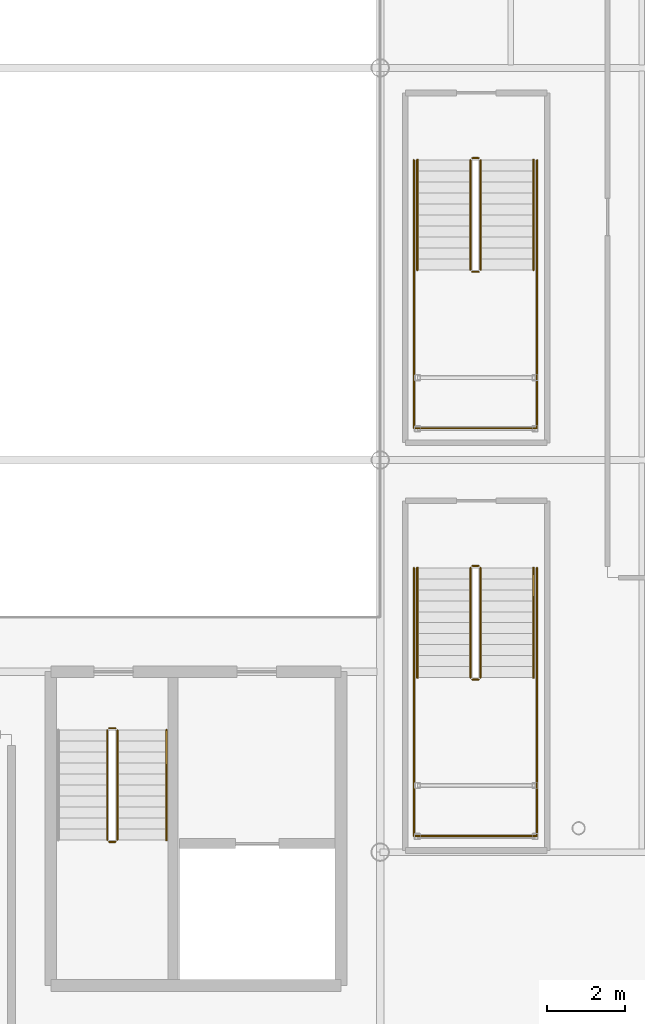
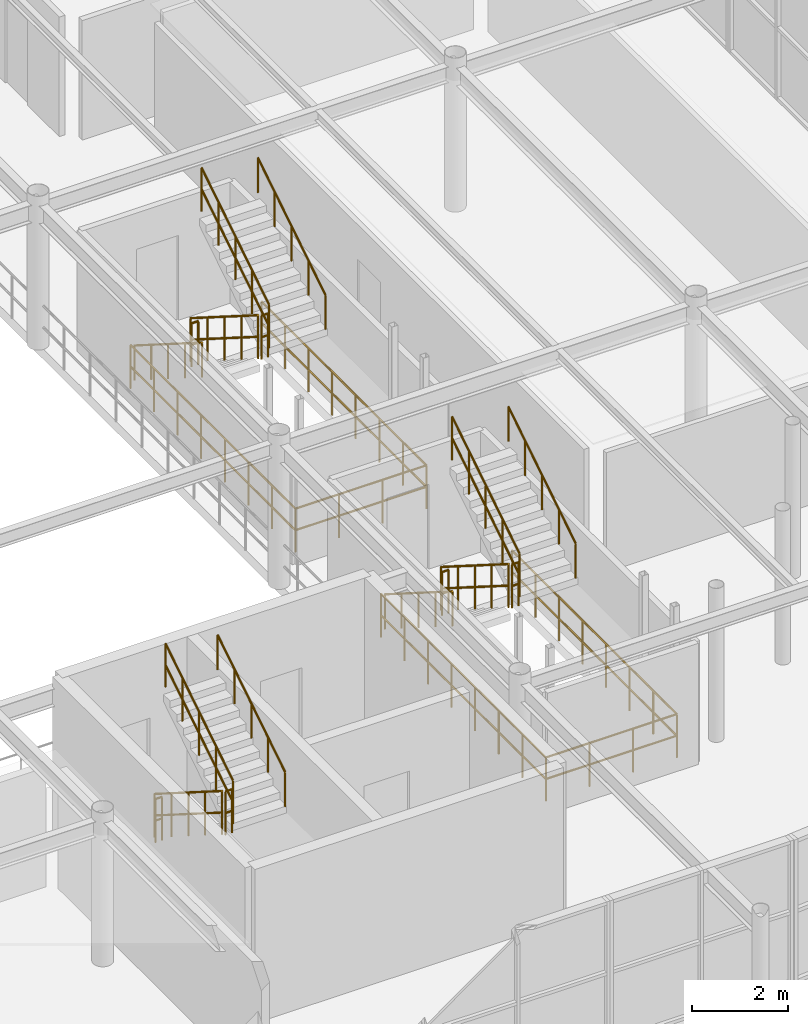
# One storey, part 96 of 98: 23 railings.
"""IFC4 building model written with IfcOpenShell, lengths in metres."""

from ifc_helpers import new_model, si_unit, derived_unit, direction, frame, origin, origin_2d_with_axis, place, context, subcontext, project, spatial, circle, extrude, material, layer, layer_set, type_object, element, save


model = new_model("IFC4")

# Units and contexts
model_context = context("Model", 3, precision=1e-05, world=origin(), true_north=direction((0.0, 1.0)))
body_context = subcontext(model_context, "Body", "Model", "MODEL_VIEW")
ifc_project = project(units=[si_unit("LENGTHUNIT", "METRE"), si_unit("AREAUNIT", "SQUARE_METRE"), si_unit("VOLUMEUNIT", "CUBIC_METRE"), si_unit("PLANEANGLEUNIT", "RADIAN"), si_unit("MASSUNIT", "GRAM", prefix="KILO"), derived_unit("THERMALTRANSMITTANCEUNIT", [(si_unit("POWERUNIT", "WATT"), 1), (si_unit("LENGTHUNIT", "METRE"), -2), (si_unit("THERMODYNAMICTEMPERATUREUNIT", "KELVIN"), -1)])], contexts=[model_context])

# Site, building, storey
site_placement = place(None, origin())
site = spatial("IfcSite", under=ifc_project, at=site_placement, CompositionType="ELEMENT")
building_placement = place(site_placement, origin())
building = spatial("IfcBuilding", under=site, at=building_placement, Name="Cinnabar Yard Market Hall", CompositionType="ELEMENT")
storey_placement = place(building_placement, frame((0.0, 0.0, 4.5)))
storey = spatial("IfcBuildingStorey", under=building, at=storey_placement, Name="L01", CompositionType="ELEMENT", Elevation=4.5)

# Railings
ifc_material_1 = material(Name="Laminated glass and bronze handrail", Category="glass")
ifc_layer_1 = layer(ifc_material_1, 0.070068359375)
ifc_layer_set_1 = layer_set([ifc_layer_1], Name="Laminated glass and bronze handrail")
railing_type_1 = type_object("IfcRailingType", Name="RL-G01", PredefinedType="BALUSTRADE", material=ifc_layer_set_1)
railing_1_placement = place(storey_placement, frame((148.300048828125, 41.64990234375, 0.17724609375)))
element("IfcRailing", 1, at=railing_1_placement, inside=storey, type_object=railing_type_1, Name="L01 ST-F2 stair guard 1", PredefinedType="BALUSTRADE", context=body_context, shape_type="SweptSolid", body=[
    extrude(circle(Radius=0.02392578125, at=origin_2d_with_axis()), frame((0.0, 0.0, 1.09619140625), z_axis=(0.0, -0.844887892834, 0.53494340686), x_axis=(1.0, 0.0, 0.0)), (0.0, 0.0, 1.0), 3.313720703125),
    extrude(circle(Radius=0.02392578125, at=origin_2d_with_axis()), frame((0.0, 0.0, 0.550048828125), z_axis=(0.0, -0.844887892834, 0.53494340686), x_axis=(1.0, 0.0, 0.0)), (0.0, 0.0, 1.0), 3.313720703125),
    extrude(circle(Radius=0.02099609375, at=origin_2d_with_axis()), origin(), (0.0, 0.0, 1.0), 1.072021484375),
    extrude(circle(Radius=0.02099609375, at=origin_2d_with_axis()), frame((0.0, -0.699951171875, 0.443115234375)), (0.0, 0.0, 1.0), 1.072021484375),
    extrude(circle(Radius=0.02099609375, at=origin_2d_with_axis()), frame((0.0, -1.39990234375, 0.88623046875)), (0.0, 0.0, 1.0), 1.072021484375),
    extrude(circle(Radius=0.02099609375, at=origin_2d_with_axis()), frame((0.0, -2.099853515625, 1.32958984375)), (0.0, 0.0, 1.0), 1.072021484375),
    extrude(circle(Radius=0.02099609375, at=origin_2d_with_axis()), frame((0.0, -2.7998046875, 1.772705078125)), (0.0, 0.0, 1.0), 1.072021484375),
])
railing_2_placement = place(storey_placement, frame((148.35009765625, 38.800048828125, 1.949951171875)))
element("IfcRailing", 2, at=railing_2_placement, inside=storey, type_object=railing_type_1, Name="L01 ST-F2 stair guard 2", PredefinedType="BALUSTRADE", context=body_context, shape_type="SweptSolid", body=[
    extrude(circle(Radius=0.02392578125, at=origin_2d_with_axis()), frame((0.0, 0.0, 1.09619140625), z_axis=(1.0, 0.0, 0.0), x_axis=(0.0, 1.0, 0.0)), (0.0, 0.0, 1.0), 0.159912109375),
    extrude(circle(Radius=0.02392578125, at=origin_2d_with_axis()), frame((0.0, 0.0, 0.550048828125), z_axis=(1.0, 0.0, 0.0), x_axis=(0.0, 1.0, 0.0)), (0.0, 0.0, 1.0), 0.159912109375),
    extrude(circle(Radius=0.02099609375, at=origin_2d_with_axis()), origin(), (0.0, 0.0, 1.0), 1.072021484375),
    extrude(circle(Radius=0.02099609375, at=origin_2d_with_axis()), frame((0.159912109375, 0.0, 0.0)), (0.0, 0.0, 1.0), 1.072021484375),
])
railing_3_placement = place(storey_placement, frame((148.56005859375, 38.85009765625, 2.127197265625)))
element("IfcRailing", 3, at=railing_3_placement, inside=storey, type_object=railing_type_1, Name="L01 ST-F2 stair guard 3", PredefinedType="BALUSTRADE", context=body_context, shape_type="SweptSolid", body=[
    extrude(circle(Radius=0.02392578125, at=origin_2d_with_axis()), frame((0.0, 0.0, 1.09619140625), z_axis=(0.0, 0.844887892834, 0.53494340686), x_axis=(-1.0, 0.0, 0.0)), (0.0, 0.0, 1.0), 3.313720703125),
    extrude(circle(Radius=0.02392578125, at=origin_2d_with_axis()), frame((0.0, 0.0, 0.550048828125), z_axis=(0.0, 0.844887892834, 0.53494340686), x_axis=(-1.0, 0.0, 0.0)), (0.0, 0.0, 1.0), 3.313720703125),
    extrude(circle(Radius=0.02099609375, at=origin_2d_with_axis()), origin(), (0.0, 0.0, 1.0), 1.072021484375),
    extrude(circle(Radius=0.02099609375, at=origin_2d_with_axis()), frame((0.0, 0.699951171875, 0.443115234375)), (0.0, 0.0, 1.0), 1.072021484375),
    extrude(circle(Radius=0.02099609375, at=origin_2d_with_axis()), frame((0.0, 1.39990234375, 0.88623046875)), (0.0, 0.0, 1.0), 1.072021484375),
    extrude(circle(Radius=0.02099609375, at=origin_2d_with_axis()), frame((0.0, 2.099853515625, 1.32958984375)), (0.0, 0.0, 1.0), 1.072021484375),
    extrude(circle(Radius=0.02099609375, at=origin_2d_with_axis()), frame((0.0, 2.7998046875, 1.772705078125)), (0.0, 0.0, 1.0), 1.072021484375),
])
railing_4_placement = place(storey_placement, frame((148.35009765625, 41.699951171875, 0.0)))
element("IfcRailing", 4, at=railing_4_placement, inside=storey, type_object=railing_type_1, Name="L01 ST-F2 stair guard 4", PredefinedType="BALUSTRADE", context=body_context, shape_type="SweptSolid", body=[
    extrude(circle(Radius=0.02392578125, at=origin_2d_with_axis()), frame((0.0, 0.0, 1.09619140625), z_axis=(1.0, 0.0, 0.0), x_axis=(0.0, 1.0, 0.0)), (0.0, 0.0, 1.0), 0.159912109375),
    extrude(circle(Radius=0.02392578125, at=origin_2d_with_axis()), frame((0.0, 0.0, 0.550048828125), z_axis=(1.0, 0.0, 0.0), x_axis=(0.0, 1.0, 0.0)), (0.0, 0.0, 1.0), 0.159912109375),
    extrude(circle(Radius=0.02099609375, at=origin_2d_with_axis()), origin(), (0.0, 0.0, 1.0), 1.072021484375),
    extrude(circle(Radius=0.02099609375, at=origin_2d_with_axis()), frame((0.159912109375, 0.0, 0.0)), (0.0, 0.0, 1.0), 1.072021484375),
])
railing_5_placement = place(storey_placement, frame((148.300048828125, 31.25, 0.17724609375)))
element("IfcRailing", 5, at=railing_5_placement, inside=storey, type_object=railing_type_1, Name="L01 ST-F5 stair guard 1", PredefinedType="BALUSTRADE", context=body_context, shape_type="SweptSolid", body=[
    extrude(circle(Radius=0.02392578125, at=origin_2d_with_axis()), frame((0.0, 0.0, 1.09619140625), z_axis=(0.0, -0.844908973607, 0.534910110503), x_axis=(1.0, 0.0, 0.0)), (0.0, 0.0, 1.0), 3.31396484375),
    extrude(circle(Radius=0.02392578125, at=origin_2d_with_axis()), frame((0.0, 0.0, 0.550048828125), z_axis=(0.0, -0.844908973607, 0.534910110503), x_axis=(1.0, 0.0, 0.0)), (0.0, 0.0, 1.0), 3.31396484375),
    extrude(circle(Radius=0.02099609375, at=origin_2d_with_axis()), origin(), (0.0, 0.0, 1.0), 1.072021484375),
    extrude(circle(Radius=0.02099609375, at=origin_2d_with_axis()), frame((0.0, -0.699951171875, 0.443115234375)), (0.0, 0.0, 1.0), 1.072021484375),
    extrude(circle(Radius=0.02099609375, at=origin_2d_with_axis()), frame((0.0, -1.39990234375, 0.88623046875)), (0.0, 0.0, 1.0), 1.072021484375),
    extrude(circle(Radius=0.02099609375, at=origin_2d_with_axis()), frame((0.0, -2.10009765625, 1.32958984375)), (0.0, 0.0, 1.0), 1.072021484375),
    extrude(circle(Radius=0.02099609375, at=origin_2d_with_axis()), frame((0.0, -2.800048828125, 1.772705078125)), (0.0, 0.0, 1.0), 1.072021484375),
])
railing_6_placement = place(storey_placement, frame((148.35009765625, 28.39990234375, 1.949951171875)))
element("IfcRailing", 6, at=railing_6_placement, inside=storey, type_object=railing_type_1, Name="L01 ST-F5 stair guard 2", PredefinedType="BALUSTRADE", context=body_context, shape_type="SweptSolid", body=[
    extrude(circle(Radius=0.02392578125, at=origin_2d_with_axis()), frame((0.0, 0.0, 1.09619140625), z_axis=(1.0, 0.0, 0.0), x_axis=(0.0, 1.0, 0.0)), (0.0, 0.0, 1.0), 0.159912109375),
    extrude(circle(Radius=0.02392578125, at=origin_2d_with_axis()), frame((0.0, 0.0, 0.550048828125), z_axis=(1.0, 0.0, 0.0), x_axis=(0.0, 1.0, 0.0)), (0.0, 0.0, 1.0), 0.159912109375),
    extrude(circle(Radius=0.02099609375, at=origin_2d_with_axis()), origin(), (0.0, 0.0, 1.0), 1.072021484375),
    extrude(circle(Radius=0.02099609375, at=origin_2d_with_axis()), frame((0.159912109375, 0.0, 0.0)), (0.0, 0.0, 1.0), 1.072021484375),
])
railing_7_placement = place(storey_placement, frame((148.56005859375, 28.449951171875, 2.127197265625)))
element("IfcRailing", 7, at=railing_7_placement, inside=storey, type_object=railing_type_1, Name="L01 ST-F5 stair guard 3", PredefinedType="BALUSTRADE", context=body_context, shape_type="SweptSolid", body=[
    extrude(circle(Radius=0.02392578125, at=origin_2d_with_axis()), frame((0.0, 0.0, 1.09619140625), z_axis=(0.0, 0.844908973607, 0.534910110503), x_axis=(-1.0, 0.0, 0.0)), (0.0, 0.0, 1.0), 3.31396484375),
    extrude(circle(Radius=0.02392578125, at=origin_2d_with_axis()), frame((0.0, 0.0, 0.550048828125), z_axis=(0.0, 0.844908973607, 0.534910110503), x_axis=(-1.0, 0.0, 0.0)), (0.0, 0.0, 1.0), 3.31396484375),
    extrude(circle(Radius=0.02099609375, at=origin_2d_with_axis()), origin(), (0.0, 0.0, 1.0), 1.072021484375),
    extrude(circle(Radius=0.02099609375, at=origin_2d_with_axis()), frame((0.0, 0.699951171875, 0.443115234375)), (0.0, 0.0, 1.0), 1.072021484375),
    extrude(circle(Radius=0.02099609375, at=origin_2d_with_axis()), frame((0.0, 1.39990234375, 0.88623046875)), (0.0, 0.0, 1.0), 1.072021484375),
    extrude(circle(Radius=0.02099609375, at=origin_2d_with_axis()), frame((0.0, 2.10009765625, 1.32958984375)), (0.0, 0.0, 1.0), 1.072021484375),
    extrude(circle(Radius=0.02099609375, at=origin_2d_with_axis()), frame((0.0, 2.800048828125, 1.772705078125)), (0.0, 0.0, 1.0), 1.072021484375),
])
railing_8_placement = place(storey_placement, frame((148.35009765625, 31.300048828125, 0.0)))
element("IfcRailing", 8, at=railing_8_placement, inside=storey, type_object=railing_type_1, Name="L01 ST-F5 stair guard 4", PredefinedType="BALUSTRADE", context=body_context, shape_type="SweptSolid", body=[
    extrude(circle(Radius=0.02392578125, at=origin_2d_with_axis()), frame((0.0, 0.0, 1.09619140625), z_axis=(1.0, 0.0, 0.0), x_axis=(0.0, 1.0, 0.0)), (0.0, 0.0, 1.0), 0.159912109375),
    extrude(circle(Radius=0.02392578125, at=origin_2d_with_axis()), frame((0.0, 0.0, 0.550048828125), z_axis=(1.0, 0.0, 0.0), x_axis=(0.0, 1.0, 0.0)), (0.0, 0.0, 1.0), 0.159912109375),
    extrude(circle(Radius=0.02099609375, at=origin_2d_with_axis()), origin(), (0.0, 0.0, 1.0), 1.072021484375),
    extrude(circle(Radius=0.02099609375, at=origin_2d_with_axis()), frame((0.159912109375, 0.0, 0.0)), (0.0, 0.0, 1.0), 1.072021484375),
])
railing_9_placement = place(storey_placement, frame((146.860107421875, 41.64990234375, 0.0)))
element("IfcRailing", 9, at=railing_9_placement, inside=storey, type_object=railing_type_1, Name="Feature Stair ST-F2 L01 Well Guard 1", PredefinedType="BALUSTRADE", context=body_context, shape_type="SweptSolid", body=[
    extrude(circle(Radius=0.02392578125, at=origin_2d_with_axis()), frame((0.0, 0.0, 1.09619140625), z_axis=(0.0, -1.0, 0.0), x_axis=(1.0, 0.0, 0.0)), (0.0, 0.0, 1.0), 6.83984375),
    extrude(circle(Radius=0.02392578125, at=origin_2d_with_axis()), frame((0.0, 0.0, 0.550048828125), z_axis=(0.0, -1.0, 0.0), x_axis=(1.0, 0.0, 0.0)), (0.0, 0.0, 1.0), 6.83984375),
    extrude(circle(Radius=0.02099609375, at=origin_2d_with_axis()), origin(), (0.0, 0.0, 1.0), 1.072021484375),
    extrude(circle(Radius=0.02099609375, at=origin_2d_with_axis()), frame((0.0, -0.97705078125, 0.0)), (0.0, 0.0, 1.0), 1.072021484375),
    extrude(circle(Radius=0.02099609375, at=origin_2d_with_axis()), frame((0.0, -1.954345703125, 0.0)), (0.0, 0.0, 1.0), 1.072021484375),
    extrude(circle(Radius=0.02099609375, at=origin_2d_with_axis()), frame((0.0, -2.931396484375, 0.0)), (0.0, 0.0, 1.0), 1.072021484375),
    extrude(circle(Radius=0.02099609375, at=origin_2d_with_axis()), frame((0.0, -3.908447265625, 0.0)), (0.0, 0.0, 1.0), 1.072021484375),
    extrude(circle(Radius=0.02099609375, at=origin_2d_with_axis()), frame((0.0, -4.885498046875, 0.0)), (0.0, 0.0, 1.0), 1.072021484375),
    extrude(circle(Radius=0.02099609375, at=origin_2d_with_axis()), frame((0.0, -5.86279296875, 0.0)), (0.0, 0.0, 1.0), 1.072021484375),
    extrude(circle(Radius=0.02099609375, at=origin_2d_with_axis()), frame((0.0, -6.83984375, 0.0)), (0.0, 0.0, 1.0), 1.072021484375),
])
railing_10_placement = place(storey_placement, frame((146.860107421875, 34.81005859375, 0.0)))
element("IfcRailing", 10, at=railing_10_placement, inside=storey, type_object=railing_type_1, Name="Feature Stair ST-F2 L01 Well Guard 2", PredefinedType="BALUSTRADE", context=body_context, shape_type="SweptSolid", body=[
    extrude(circle(Radius=0.02392578125, at=origin_2d_with_axis()), frame((0.0, 0.0, 1.09619140625), z_axis=(1.0, 0.0, 0.0), x_axis=(0.0, 1.0, 0.0)), (0.0, 0.0, 1.0), 3.139892578125),
    extrude(circle(Radius=0.02392578125, at=origin_2d_with_axis()), frame((0.0, 0.0, 0.550048828125), z_axis=(1.0, 0.0, 0.0), x_axis=(0.0, 1.0, 0.0)), (0.0, 0.0, 1.0), 3.139892578125),
    extrude(circle(Radius=0.02099609375, at=origin_2d_with_axis()), origin(), (0.0, 0.0, 1.0), 1.072021484375),
    extrude(circle(Radius=0.02099609375, at=origin_2d_with_axis()), frame((1.046630859375, 0.0, 0.0)), (0.0, 0.0, 1.0), 1.072021484375),
    extrude(circle(Radius=0.02099609375, at=origin_2d_with_axis()), frame((2.09326171875, 0.0, 0.0)), (0.0, 0.0, 1.0), 1.072021484375),
    extrude(circle(Radius=0.02099609375, at=origin_2d_with_axis()), frame((3.139892578125, 0.0, 0.0)), (0.0, 0.0, 1.0), 1.072021484375),
])
railing_11_placement = place(storey_placement, frame((150.0, 34.81005859375, 0.0)))
element("IfcRailing", 11, at=railing_11_placement, inside=storey, type_object=railing_type_1, Name="Feature Stair ST-F2 L01 Well Guard 3", PredefinedType="BALUSTRADE", context=body_context, shape_type="SweptSolid", body=[
    extrude(circle(Radius=0.02392578125, at=origin_2d_with_axis()), frame((0.0, 0.0, 1.09619140625), z_axis=(0.0, 1.0, 0.0), x_axis=(-1.0, 0.0, 0.0)), (0.0, 0.0, 1.0), 6.83984375),
    extrude(circle(Radius=0.02392578125, at=origin_2d_with_axis()), frame((0.0, 0.0, 0.550048828125), z_axis=(0.0, 1.0, 0.0), x_axis=(-1.0, 0.0, 0.0)), (0.0, 0.0, 1.0), 6.83984375),
    extrude(circle(Radius=0.02099609375, at=origin_2d_with_axis()), origin(), (0.0, 0.0, 1.0), 1.072021484375),
    extrude(circle(Radius=0.02099609375, at=origin_2d_with_axis()), frame((0.0, 0.97705078125, 0.0)), (0.0, 0.0, 1.0), 1.072021484375),
    extrude(circle(Radius=0.02099609375, at=origin_2d_with_axis()), frame((0.0, 1.954345703125, 0.0)), (0.0, 0.0, 1.0), 1.072021484375),
    extrude(circle(Radius=0.02099609375, at=origin_2d_with_axis()), frame((0.0, 2.931396484375, 0.0)), (0.0, 0.0, 1.0), 1.072021484375),
    extrude(circle(Radius=0.02099609375, at=origin_2d_with_axis()), frame((0.0, 3.908447265625, 0.0)), (0.0, 0.0, 1.0), 1.072021484375),
    extrude(circle(Radius=0.02099609375, at=origin_2d_with_axis()), frame((0.0, 4.885498046875, 0.0)), (0.0, 0.0, 1.0), 1.072021484375),
    extrude(circle(Radius=0.02099609375, at=origin_2d_with_axis()), frame((0.0, 5.86279296875, 0.0)), (0.0, 0.0, 1.0), 1.072021484375),
    extrude(circle(Radius=0.02099609375, at=origin_2d_with_axis()), frame((0.0, 6.83984375, 0.0)), (0.0, 0.0, 1.0), 1.072021484375),
])
railing_12_placement = place(storey_placement, frame((146.860107421875, 31.25, 0.0)))
element("IfcRailing", 12, at=railing_12_placement, inside=storey, type_object=railing_type_1, Name="Feature Stair ST-F5 L01 Well Guard 1", PredefinedType="BALUSTRADE", context=body_context, shape_type="SweptSolid", body=[
    extrude(circle(Radius=0.02392578125, at=origin_2d_with_axis()), frame((0.0, 0.0, 1.09619140625), z_axis=(0.0, -1.0, 0.0), x_axis=(1.0, 0.0, 0.0)), (0.0, 0.0, 1.0), 6.840087890625),
    extrude(circle(Radius=0.02392578125, at=origin_2d_with_axis()), frame((0.0, 0.0, 0.550048828125), z_axis=(0.0, -1.0, 0.0), x_axis=(1.0, 0.0, 0.0)), (0.0, 0.0, 1.0), 6.840087890625),
    extrude(circle(Radius=0.02099609375, at=origin_2d_with_axis()), origin(), (0.0, 0.0, 1.0), 1.072021484375),
    extrude(circle(Radius=0.02099609375, at=origin_2d_with_axis()), frame((0.0, -0.97705078125, 0.0)), (0.0, 0.0, 1.0), 1.072021484375),
    extrude(circle(Radius=0.02099609375, at=origin_2d_with_axis()), frame((0.0, -1.954345703125, 0.0)), (0.0, 0.0, 1.0), 1.072021484375),
    extrude(circle(Radius=0.02099609375, at=origin_2d_with_axis()), frame((0.0, -2.931396484375, 0.0)), (0.0, 0.0, 1.0), 1.072021484375),
    extrude(circle(Radius=0.02099609375, at=origin_2d_with_axis()), frame((0.0, -3.90869140625, 0.0)), (0.0, 0.0, 1.0), 1.072021484375),
    extrude(circle(Radius=0.02099609375, at=origin_2d_with_axis()), frame((0.0, -4.8857421875, 0.0)), (0.0, 0.0, 1.0), 1.072021484375),
    extrude(circle(Radius=0.02099609375, at=origin_2d_with_axis()), frame((0.0, -5.863037109375, 0.0)), (0.0, 0.0, 1.0), 1.072021484375),
    extrude(circle(Radius=0.02099609375, at=origin_2d_with_axis()), frame((0.0, -6.840087890625, 0.0)), (0.0, 0.0, 1.0), 1.072021484375),
])
railing_13_placement = place(storey_placement, frame((146.860107421875, 24.409912109375, 0.0)))
element("IfcRailing", 13, at=railing_13_placement, inside=storey, type_object=railing_type_1, Name="Feature Stair ST-F5 L01 Well Guard 2", PredefinedType="BALUSTRADE", context=body_context, shape_type="SweptSolid", body=[
    extrude(circle(Radius=0.02392578125, at=origin_2d_with_axis()), frame((0.0, 0.0, 1.09619140625), z_axis=(1.0, 0.0, 0.0), x_axis=(0.0, 1.0, 0.0)), (0.0, 0.0, 1.0), 3.139892578125),
    extrude(circle(Radius=0.02392578125, at=origin_2d_with_axis()), frame((0.0, 0.0, 0.550048828125), z_axis=(1.0, 0.0, 0.0), x_axis=(0.0, 1.0, 0.0)), (0.0, 0.0, 1.0), 3.139892578125),
    extrude(circle(Radius=0.02099609375, at=origin_2d_with_axis()), origin(), (0.0, 0.0, 1.0), 1.072021484375),
    extrude(circle(Radius=0.02099609375, at=origin_2d_with_axis()), frame((1.046630859375, 0.0, 0.0)), (0.0, 0.0, 1.0), 1.072021484375),
    extrude(circle(Radius=0.02099609375, at=origin_2d_with_axis()), frame((2.09326171875, 0.0, 0.0)), (0.0, 0.0, 1.0), 1.072021484375),
    extrude(circle(Radius=0.02099609375, at=origin_2d_with_axis()), frame((3.139892578125, 0.0, 0.0)), (0.0, 0.0, 1.0), 1.072021484375),
])
railing_14_placement = place(storey_placement, frame((150.0, 24.409912109375, 0.0)))
element("IfcRailing", 14, at=railing_14_placement, inside=storey, type_object=railing_type_1, Name="Feature Stair ST-F5 L01 Well Guard 3", PredefinedType="BALUSTRADE", context=body_context, shape_type="SweptSolid", body=[
    extrude(circle(Radius=0.02392578125, at=origin_2d_with_axis()), frame((0.0, 0.0, 1.09619140625), z_axis=(0.0, 1.0, 0.0), x_axis=(-1.0, 0.0, 0.0)), (0.0, 0.0, 1.0), 6.840087890625),
    extrude(circle(Radius=0.02392578125, at=origin_2d_with_axis()), frame((0.0, 0.0, 0.550048828125), z_axis=(0.0, 1.0, 0.0), x_axis=(-1.0, 0.0, 0.0)), (0.0, 0.0, 1.0), 6.840087890625),
    extrude(circle(Radius=0.02099609375, at=origin_2d_with_axis()), origin(), (0.0, 0.0, 1.0), 1.072021484375),
    extrude(circle(Radius=0.02099609375, at=origin_2d_with_axis()), frame((0.0, 0.97705078125, 0.0)), (0.0, 0.0, 1.0), 1.072021484375),
    extrude(circle(Radius=0.02099609375, at=origin_2d_with_axis()), frame((0.0, 1.954345703125, 0.0)), (0.0, 0.0, 1.0), 1.072021484375),
    extrude(circle(Radius=0.02099609375, at=origin_2d_with_axis()), frame((0.0, 2.931396484375, 0.0)), (0.0, 0.0, 1.0), 1.072021484375),
    extrude(circle(Radius=0.02099609375, at=origin_2d_with_axis()), frame((0.0, 3.90869140625, 0.0)), (0.0, 0.0, 1.0), 1.072021484375),
    extrude(circle(Radius=0.02099609375, at=origin_2d_with_axis()), frame((0.0, 4.8857421875, 0.0)), (0.0, 0.0, 1.0), 1.072021484375),
    extrude(circle(Radius=0.02099609375, at=origin_2d_with_axis()), frame((0.0, 5.863037109375, 0.0)), (0.0, 0.0, 1.0), 1.072021484375),
    extrude(circle(Radius=0.02099609375, at=origin_2d_with_axis()), frame((0.0, 6.840087890625, 0.0)), (0.0, 0.0, 1.0), 1.072021484375),
])
ifc_material_2 = material(Name="Galvanised steel Grade 300 (300 MPa) guardrail", Category="steel")
ifc_layer_2 = layer(ifc_material_2, 0.06005859375)
ifc_layer_set_2 = layer_set([ifc_layer_2], Name="Galvanised steel Grade 300 (300 MPa) guardrail")
railing_type_2 = type_object("IfcRailingType", Name="RL-G03", PredefinedType="GUARDRAIL", material=ifc_layer_set_2)
railing_15_placement = place(storey_placement, frame((139.0400390625, 27.110107421875, 0.17724609375)))
element("IfcRailing", 15, at=railing_15_placement, inside=storey, type_object=railing_type_2, Name="L01 ST-C2 stair guard 1", PredefinedType="GUARDRAIL", context=body_context, shape_type="SweptSolid", body=[
    extrude(circle(Radius=0.02392578125, at=origin_2d_with_axis()), frame((0.0, 0.0, 1.09619140625), z_axis=(0.0, -0.844908973607, 0.534910110503), x_axis=(1.0, 0.0, 0.0)), (0.0, 0.0, 1.0), 3.31396484375),
    extrude(circle(Radius=0.02392578125, at=origin_2d_with_axis()), frame((0.0, 0.0, 0.550048828125), z_axis=(0.0, -0.844908973607, 0.534910110503), x_axis=(1.0, 0.0, 0.0)), (0.0, 0.0, 1.0), 3.31396484375),
    extrude(circle(Radius=0.02099609375, at=origin_2d_with_axis()), origin(), (0.0, 0.0, 1.0), 1.072021484375),
    extrude(circle(Radius=0.02099609375, at=origin_2d_with_axis()), frame((0.0, -0.699951171875, 0.443115234375)), (0.0, 0.0, 1.0), 1.072021484375),
    extrude(circle(Radius=0.02099609375, at=origin_2d_with_axis()), frame((0.0, -1.39990234375, 0.88623046875)), (0.0, 0.0, 1.0), 1.072021484375),
    extrude(circle(Radius=0.02099609375, at=origin_2d_with_axis()), frame((0.0, -2.10009765625, 1.32958984375)), (0.0, 0.0, 1.0), 1.072021484375),
    extrude(circle(Radius=0.02099609375, at=origin_2d_with_axis()), frame((0.0, -2.800048828125, 1.772705078125)), (0.0, 0.0, 1.0), 1.072021484375),
])
railing_16_placement = place(storey_placement, frame((139.090087890625, 24.260009765625, 1.949951171875)))
element("IfcRailing", 16, at=railing_16_placement, inside=storey, type_object=railing_type_2, Name="L01 ST-C2 stair guard 2", PredefinedType="GUARDRAIL", context=body_context, shape_type="SweptSolid", body=[
    extrude(circle(Radius=0.02392578125, at=origin_2d_with_axis()), frame((0.0, 0.0, 1.09619140625), z_axis=(1.0, 0.0, 0.0), x_axis=(0.0, 1.0, 0.0)), (0.0, 0.0, 1.0), 0.159912109375),
    extrude(circle(Radius=0.02392578125, at=origin_2d_with_axis()), frame((0.0, 0.0, 0.550048828125), z_axis=(1.0, 0.0, 0.0), x_axis=(0.0, 1.0, 0.0)), (0.0, 0.0, 1.0), 0.159912109375),
    extrude(circle(Radius=0.02099609375, at=origin_2d_with_axis()), origin(), (0.0, 0.0, 1.0), 1.072021484375),
    extrude(circle(Radius=0.02099609375, at=origin_2d_with_axis()), frame((0.159912109375, 0.0, 0.0)), (0.0, 0.0, 1.0), 1.072021484375),
])
railing_17_placement = place(storey_placement, frame((139.300048828125, 24.31005859375, 2.127197265625)))
element("IfcRailing", 17, at=railing_17_placement, inside=storey, type_object=railing_type_2, Name="L01 ST-C2 stair guard 3", PredefinedType="GUARDRAIL", context=body_context, shape_type="SweptSolid", body=[
    extrude(circle(Radius=0.02392578125, at=origin_2d_with_axis()), frame((0.0, 0.0, 1.09619140625), z_axis=(0.0, 0.844908973607, 0.534910110503), x_axis=(-1.0, 0.0, 0.0)), (0.0, 0.0, 1.0), 3.31396484375),
    extrude(circle(Radius=0.02392578125, at=origin_2d_with_axis()), frame((0.0, 0.0, 0.550048828125), z_axis=(0.0, 0.844908973607, 0.534910110503), x_axis=(-1.0, 0.0, 0.0)), (0.0, 0.0, 1.0), 3.31396484375),
    extrude(circle(Radius=0.02099609375, at=origin_2d_with_axis()), origin(), (0.0, 0.0, 1.0), 1.072021484375),
    extrude(circle(Radius=0.02099609375, at=origin_2d_with_axis()), frame((0.0, 0.699951171875, 0.443115234375)), (0.0, 0.0, 1.0), 1.072021484375),
    extrude(circle(Radius=0.02099609375, at=origin_2d_with_axis()), frame((0.0, 1.39990234375, 0.88623046875)), (0.0, 0.0, 1.0), 1.072021484375),
    extrude(circle(Radius=0.02099609375, at=origin_2d_with_axis()), frame((0.0, 2.10009765625, 1.32958984375)), (0.0, 0.0, 1.0), 1.072021484375),
    extrude(circle(Radius=0.02099609375, at=origin_2d_with_axis()), frame((0.0, 2.800048828125, 1.772705078125)), (0.0, 0.0, 1.0), 1.072021484375),
])
railing_18_placement = place(storey_placement, frame((139.090087890625, 27.159912109375, 0.0)))
element("IfcRailing", 18, at=railing_18_placement, inside=storey, type_object=railing_type_2, Name="L01 ST-C2 stair guard 4", PredefinedType="GUARDRAIL", context=body_context, shape_type="SweptSolid", body=[
    extrude(circle(Radius=0.02392578125, at=origin_2d_with_axis()), frame((0.0, 0.0, 1.09619140625), z_axis=(1.0, 0.0, 0.0), x_axis=(0.0, 1.0, 0.0)), (0.0, 0.0, 1.0), 0.159912109375),
    extrude(circle(Radius=0.02392578125, at=origin_2d_with_axis()), frame((0.0, 0.0, 0.550048828125), z_axis=(1.0, 0.0, 0.0), x_axis=(0.0, 1.0, 0.0)), (0.0, 0.0, 1.0), 0.159912109375),
    extrude(circle(Radius=0.02099609375, at=origin_2d_with_axis()), origin(), (0.0, 0.0, 1.0), 1.072021484375),
    extrude(circle(Radius=0.02099609375, at=origin_2d_with_axis()), frame((0.159912109375, 0.0, 0.0)), (0.0, 0.0, 1.0), 1.072021484375),
])
ifc_material_3 = material(Name="Brushed stainless steel handrail", Category="steel")
ifc_layer_3 = layer(ifc_material_3, 0.050048828125)
ifc_layer_set_3 = layer_set([ifc_layer_3], Name="Brushed stainless steel handrail")
railing_type_3 = type_object("IfcRailingType", Name="RL-HR1", PredefinedType="HANDRAIL", material=ifc_layer_set_3)
railing_19_placement = place(storey_placement, frame((140.550048828125, 24.31005859375, 2.127197265625)))
element("IfcRailing", 19, at=railing_19_placement, inside=storey, type_object=railing_type_3, Name="L01 ST-C2 stair handrail 2", PredefinedType="HANDRAIL", context=body_context, shape_type="SweptSolid", body=[
    extrude(circle(Radius=0.02392578125, at=origin_2d_with_axis()), frame((0.0, 0.0, 0.8759765625), z_axis=(0.0, 0.844908973607, 0.534910110503), x_axis=(-1.0, 0.0, 0.0)), (0.0, 0.0, 1.0), 3.31396484375),
    extrude(circle(Radius=0.02099609375, at=origin_2d_with_axis()), origin(), (0.0, 0.0, 1.0), 0.851806640625),
    extrude(circle(Radius=0.02099609375, at=origin_2d_with_axis()), frame((0.0, 0.699951171875, 0.443115234375)), (0.0, 0.0, 1.0), 0.851806640625),
    extrude(circle(Radius=0.02099609375, at=origin_2d_with_axis()), frame((0.0, 1.39990234375, 0.88623046875)), (0.0, 0.0, 1.0), 0.851806640625),
    extrude(circle(Radius=0.02099609375, at=origin_2d_with_axis()), frame((0.0, 2.10009765625, 1.32958984375)), (0.0, 0.0, 1.0), 0.851806640625),
    extrude(circle(Radius=0.02099609375, at=origin_2d_with_axis()), frame((0.0, 2.800048828125, 1.772705078125)), (0.0, 0.0, 1.0), 0.851806640625),
])
railing_20_placement = place(storey_placement, frame((146.949951171875, 41.64990234375, 0.17724609375)))
element("IfcRailing", 20, at=railing_20_placement, inside=storey, type_object=railing_type_3, Name="L01 ST-F2 stair handrail 1", PredefinedType="HANDRAIL", context=body_context, shape_type="SweptSolid", body=[
    extrude(circle(Radius=0.02392578125, at=origin_2d_with_axis()), frame((0.0, 0.0, 0.8759765625), z_axis=(0.0, -0.844887892834, 0.53494340686), x_axis=(1.0, 0.0, 0.0)), (0.0, 0.0, 1.0), 3.313720703125),
    extrude(circle(Radius=0.02099609375, at=origin_2d_with_axis()), origin(), (0.0, 0.0, 1.0), 0.851806640625),
    extrude(circle(Radius=0.02099609375, at=origin_2d_with_axis()), frame((0.0, -0.699951171875, 0.443115234375)), (0.0, 0.0, 1.0), 0.851806640625),
    extrude(circle(Radius=0.02099609375, at=origin_2d_with_axis()), frame((0.0, -1.39990234375, 0.88623046875)), (0.0, 0.0, 1.0), 0.851806640625),
    extrude(circle(Radius=0.02099609375, at=origin_2d_with_axis()), frame((0.0, -2.099853515625, 1.32958984375)), (0.0, 0.0, 1.0), 0.851806640625),
    extrude(circle(Radius=0.02099609375, at=origin_2d_with_axis()), frame((0.0, -2.7998046875, 1.772705078125)), (0.0, 0.0, 1.0), 0.851806640625),
])
railing_21_placement = place(storey_placement, frame((149.909912109375, 38.85009765625, 2.127197265625)))
element("IfcRailing", 21, at=railing_21_placement, inside=storey, type_object=railing_type_3, Name="L01 ST-F2 stair handrail 2", PredefinedType="HANDRAIL", context=body_context, shape_type="SweptSolid", body=[
    extrude(circle(Radius=0.02392578125, at=origin_2d_with_axis()), frame((0.0, 0.0, 0.8759765625), z_axis=(0.0, 0.844887892834, 0.53494340686), x_axis=(-1.0, 0.0, 0.0)), (0.0, 0.0, 1.0), 3.313720703125),
    extrude(circle(Radius=0.02099609375, at=origin_2d_with_axis()), origin(), (0.0, 0.0, 1.0), 0.851806640625),
    extrude(circle(Radius=0.02099609375, at=origin_2d_with_axis()), frame((0.0, 0.699951171875, 0.443115234375)), (0.0, 0.0, 1.0), 0.851806640625),
    extrude(circle(Radius=0.02099609375, at=origin_2d_with_axis()), frame((0.0, 1.39990234375, 0.88623046875)), (0.0, 0.0, 1.0), 0.851806640625),
    extrude(circle(Radius=0.02099609375, at=origin_2d_with_axis()), frame((0.0, 2.099853515625, 1.32958984375)), (0.0, 0.0, 1.0), 0.851806640625),
    extrude(circle(Radius=0.02099609375, at=origin_2d_with_axis()), frame((0.0, 2.7998046875, 1.772705078125)), (0.0, 0.0, 1.0), 0.851806640625),
])
railing_22_placement = place(storey_placement, frame((146.949951171875, 31.25, 0.17724609375)))
element("IfcRailing", 22, at=railing_22_placement, inside=storey, type_object=railing_type_3, Name="L01 ST-F5 stair handrail 1", PredefinedType="HANDRAIL", context=body_context, shape_type="SweptSolid", body=[
    extrude(circle(Radius=0.02392578125, at=origin_2d_with_axis()), frame((0.0, 0.0, 0.8759765625), z_axis=(0.0, -0.844908973607, 0.534910110503), x_axis=(1.0, 0.0, 0.0)), (0.0, 0.0, 1.0), 3.31396484375),
    extrude(circle(Radius=0.02099609375, at=origin_2d_with_axis()), origin(), (0.0, 0.0, 1.0), 0.851806640625),
    extrude(circle(Radius=0.02099609375, at=origin_2d_with_axis()), frame((0.0, -0.699951171875, 0.443115234375)), (0.0, 0.0, 1.0), 0.851806640625),
    extrude(circle(Radius=0.02099609375, at=origin_2d_with_axis()), frame((0.0, -1.39990234375, 0.88623046875)), (0.0, 0.0, 1.0), 0.851806640625),
    extrude(circle(Radius=0.02099609375, at=origin_2d_with_axis()), frame((0.0, -2.10009765625, 1.32958984375)), (0.0, 0.0, 1.0), 0.851806640625),
    extrude(circle(Radius=0.02099609375, at=origin_2d_with_axis()), frame((0.0, -2.800048828125, 1.772705078125)), (0.0, 0.0, 1.0), 0.851806640625),
])
railing_23_placement = place(storey_placement, frame((149.909912109375, 28.449951171875, 2.127197265625)))
element("IfcRailing", 23, at=railing_23_placement, inside=storey, type_object=railing_type_3, Name="L01 ST-F5 stair handrail 2", PredefinedType="HANDRAIL", context=body_context, shape_type="SweptSolid", body=[
    extrude(circle(Radius=0.02392578125, at=origin_2d_with_axis()), frame((0.0, 0.0, 0.8759765625), z_axis=(0.0, 0.844908973607, 0.534910110503), x_axis=(-1.0, 0.0, 0.0)), (0.0, 0.0, 1.0), 3.31396484375),
    extrude(circle(Radius=0.02099609375, at=origin_2d_with_axis()), origin(), (0.0, 0.0, 1.0), 0.851806640625),
    extrude(circle(Radius=0.02099609375, at=origin_2d_with_axis()), frame((0.0, 0.699951171875, 0.443115234375)), (0.0, 0.0, 1.0), 0.851806640625),
    extrude(circle(Radius=0.02099609375, at=origin_2d_with_axis()), frame((0.0, 1.39990234375, 0.88623046875)), (0.0, 0.0, 1.0), 0.851806640625),
    extrude(circle(Radius=0.02099609375, at=origin_2d_with_axis()), frame((0.0, 2.10009765625, 1.32958984375)), (0.0, 0.0, 1.0), 0.851806640625),
    extrude(circle(Radius=0.02099609375, at=origin_2d_with_axis()), frame((0.0, 2.800048828125, 1.772705078125)), (0.0, 0.0, 1.0), 0.851806640625),
])

save(model, "model.ifc")
